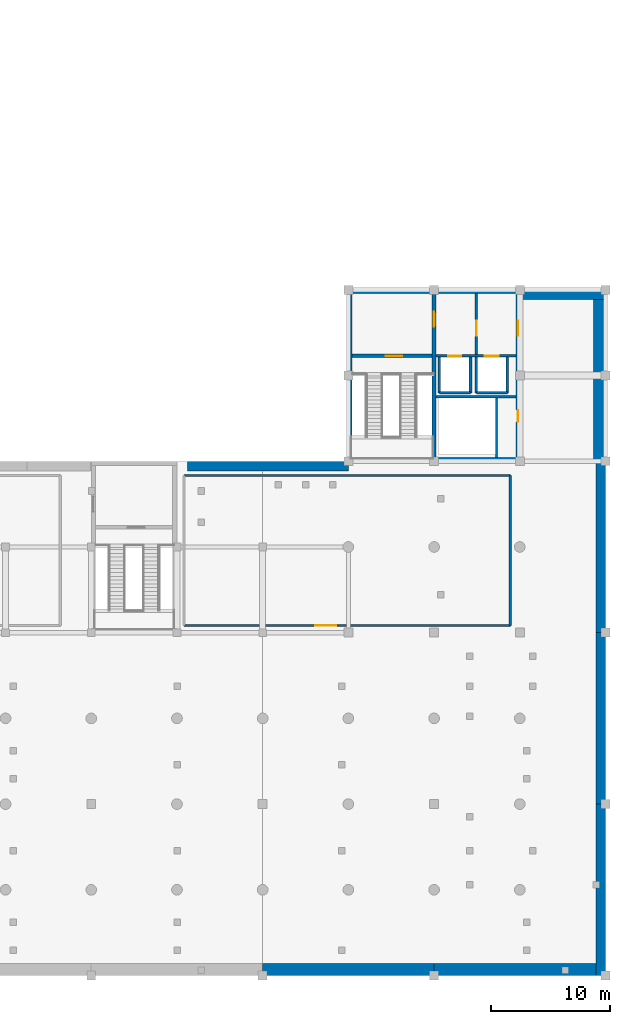
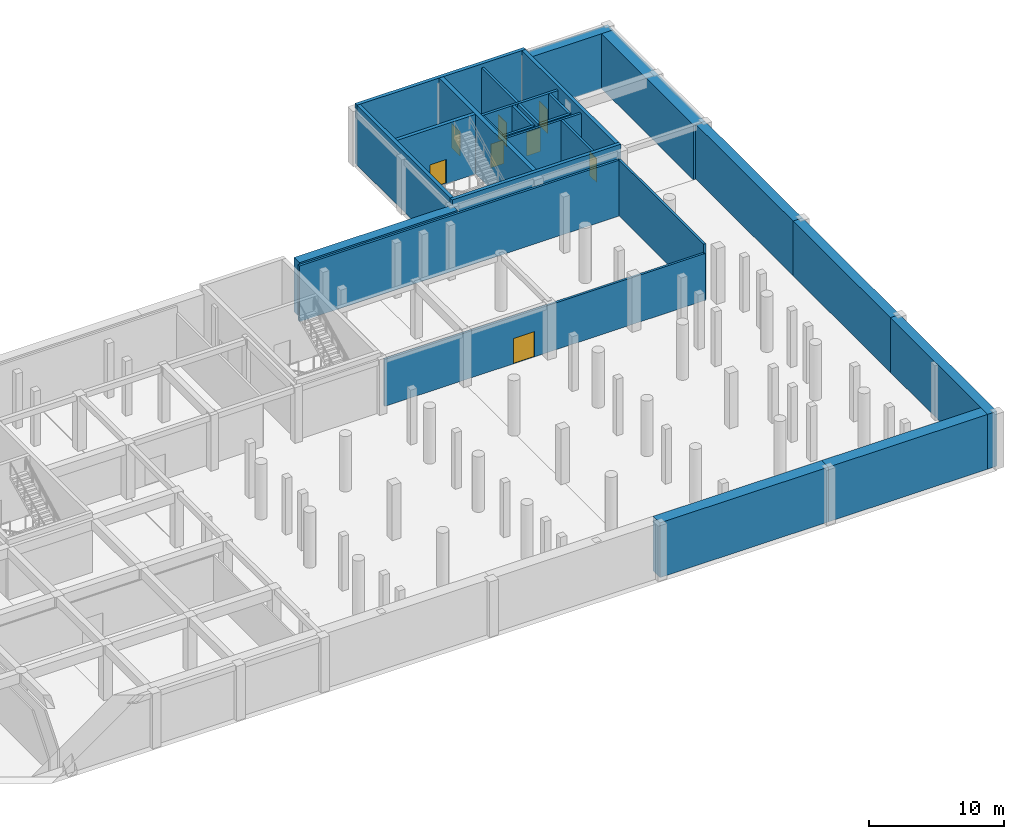
# One storey, part 9 of 15: 27 walls, 8 doors, 8 openings.
"""IFC4 building model written with IfcOpenShell, lengths in metres."""

from ifc_helpers import new_model, si_unit, direction, frame, frame_2d, origin, place, context, subcontext, project, spatial, rectangle, extrude, material, layer, layer_set, type_object, element, fill, save


model = new_model("IFC4")

# Units and contexts
model_context = context("Model", 3, precision=1e-05, world=origin(), true_north=direction((0.0, 1.0)))
body_context = subcontext(model_context, "Body", "Model", "MODEL_VIEW")
ifc_project = project(units=[si_unit("LENGTHUNIT", "METRE"), si_unit("AREAUNIT", "SQUARE_METRE"), si_unit("VOLUMEUNIT", "CUBIC_METRE"), si_unit("PLANEANGLEUNIT", "RADIAN"), si_unit("MASSUNIT", "GRAM", prefix="KILO")], contexts=[model_context])

# Site, building, storey
site_placement = place(None, origin())
site = spatial("IfcSite", under=ifc_project, at=site_placement, CompositionType="ELEMENT")
building_placement = place(site_placement, origin())
building = spatial("IfcBuilding", under=site, at=building_placement, Name="Leyfeld Transit Interchange", CompositionType="ELEMENT")
storey_placement = place(building_placement, frame((0.0, 0.0, -5.39990234375)))
storey = spatial("IfcBuildingStorey", under=building, at=storey_placement, Name="B01", CompositionType="ELEMENT", Elevation=-5.39990234375)

# Walls
ifc_material_1 = material(Name="Concrete C35/45", Category="concrete")
ifc_layer_1 = layer(ifc_material_1, 1.0, Name="Concrete C35/45")
ifc_layer_set_1 = layer_set([ifc_layer_1], Name="Concrete C35/45")
wall_type_1 = type_object("IfcWallType", Name="WL-DW-1000", PredefinedType="USERDEFINED", material=ifc_layer_set_1)
for number, where, z_axis, x_axis, name in (
    (1, (158.39990234375, 14.89990234375, 0.0), (0.0, 0.0, 1.0), (-1.0, 0.0, 0.0), "Metro Diaphragm Wall DW-B01-S01-P01"),
    (2, (144.0, 14.89990234375, 0.0), (0.0, 0.0, 1.0), (-1.0, 0.0, 0.0), "Metro Diaphragm Wall DW-B01-S01-P02"),
    (3, (157.89990234375, 72.0, 0.0), (0.0, 0.0, 1.0), (0.0, -1.0, 0.0), "Metro Diaphragm Wall DW-B01-S09-P01"),
):
    element("IfcWall", number, at=place(storey_placement, frame(where, z_axis=z_axis, x_axis=x_axis)), inside=storey, type_object=wall_type_1, Name=name, ObjectType="RETAININGWALL", PredefinedType="USERDEFINED", context=body_context, shape_type="SweptSolid", body=[
        extrude(rectangle(XDim=14.39990234375, YDim=1.0, at=frame_2d((7.199951171875, 0.0))), origin(), (0.0, 0.0, 1.0), 4.949951171875),
    ])
ifc_layer_2 = layer(ifc_material_1, 0.800048828125, Name="Concrete C35/45")
ifc_layer_set_2 = layer_set([ifc_layer_2], Name="Concrete C35/45")
wall_type_2 = type_object("IfcWallType", Name="WL-DW-800", PredefinedType="USERDEFINED", material=ifc_layer_set_2)
wall_1_placement = place(storey_placement, frame((123.300048828125, 57.199951171875, 0.0), z_axis=(0.0, 0.0, 1.0), x_axis=(1.0, 0.0, 0.0)))
element("IfcWall", 4, at=wall_1_placement, inside=storey, type_object=wall_type_2, Name="Metro Diaphragm Wall DW-B01-S06-P08", ObjectType="RETAININGWALL", PredefinedType="USERDEFINED", context=body_context, shape_type="SweptSolid", body=[
    extrude(rectangle(XDim=13.5, YDim=0.800048828125, at=frame_2d((6.75, 0.0))), origin(), (0.0, 0.0, 1.0), 4.949951171875),
])
wall_2_placement = place(storey_placement, frame((151.25, 71.60009765625, 0.0), z_axis=(0.0, 0.0, 1.0), x_axis=(1.0, 0.0, 0.0)))
element("IfcWall", 5, at=wall_2_placement, inside=storey, type_object=wall_type_2, Name="Metro Diaphragm Wall DW-B01-S08-P01", ObjectType="RETAININGWALL", PredefinedType="USERDEFINED", context=body_context, shape_type="SweptSolid", body=[
    extrude(rectangle(XDim=7.14990234375, YDim=0.800048828125, at=frame_2d((3.574951171875, 0.0))), origin(), (0.0, 0.0, 1.0), 4.949951171875),
])
wall_3_placement = place(storey_placement, frame((158.0, 57.60009765625, 0.0), z_axis=(0.0, 0.0, 1.0), x_axis=(0.0, -1.0, 0.0)))
element("IfcWall", 6, at=wall_3_placement, inside=storey, type_object=wall_type_2, Name="Metro Diaphragm Wall DW-B01-S10-P01", ObjectType="RETAININGWALL", PredefinedType="USERDEFINED", context=body_context, shape_type="SweptSolid", body=[
    extrude(rectangle(XDim=14.400146484375, YDim=0.800048828125, at=frame_2d((7.2001953125, 0.0))), origin(), (0.0, 0.0, 1.0), 4.949951171875),
])
wall_4_placement = place(storey_placement, frame((158.0, 43.199951171875, 0.0), z_axis=(0.0, 0.0, 1.0), x_axis=(0.0, -1.0, 0.0)))
element("IfcWall", 7, at=wall_4_placement, inside=storey, type_object=wall_type_2, Name="Metro Diaphragm Wall DW-B01-S10-P02", ObjectType="RETAININGWALL", PredefinedType="USERDEFINED", context=body_context, shape_type="SweptSolid", body=[
    extrude(rectangle(XDim=14.39990234375, YDim=0.800048828125, at=frame_2d((7.199951171875, 0.0))), origin(), (0.0, 0.0, 1.0), 4.949951171875),
])
wall_5_placement = place(storey_placement, frame((158.0, 28.800048828125, 0.0), z_axis=(0.0, 0.0, 1.0), x_axis=(0.0, -1.0, 0.0)))
element("IfcWall", 8, at=wall_5_placement, inside=storey, type_object=wall_type_2, Name="Metro Diaphragm Wall DW-B01-S10-P03", ObjectType="RETAININGWALL", PredefinedType="USERDEFINED", context=body_context, shape_type="SweptSolid", body=[
    extrude(rectangle(XDim=14.400146484375, YDim=0.800048828125, at=frame_2d((7.2001953125, 0.0))), origin(), (0.0, 0.0, 1.0), 4.949951171875),
])

# Wall, opening, door
ifc_layer_3 = layer(ifc_material_1, 0.199951171875, Name="Concrete C35/45")
ifc_layer_set_3 = layer_set([ifc_layer_3], Name="Concrete C35/45")
wall_type_3 = type_object("IfcWallType", Name="WL-INT-FFL-200", PredefinedType="PARTITIONING", material=ifc_layer_set_3)
wall_6_placement = place(storey_placement, frame((147.550048828125, 66.56005859375, 0.0), z_axis=(0.0, 0.0, 1.0), x_axis=(0.0, 1.0, 0.0)))
wall_6 = element("IfcWall", 9, at=wall_6_placement, inside=storey, type_object=wall_type_3, Name="Core K4 Firefighting Lobby Compartment Wall B01", PredefinedType="PARTITIONING", context=body_context, shape_type="SweptSolid", body=[
    extrude(rectangle(XDim=5.139892578125, YDim=0.199951171875, at=frame_2d((2.56982421875, 0.0))), origin(), (0.0, 0.0, 1.0), 5.0498046875),
])
opening_1_placement = place(wall_6_placement, frame((1.60009765625, 0.0, 0.0)))
opening_1 = element("IfcOpeningElement", 10, at=opening_1_placement, cuts=wall_6, Name="Opening DI-02", PredefinedType="OPENING", context=body_context, shape_type="SweptSolid", body=[
    extrude(rectangle(XDim=1.25, YDim=2.199951171875, at=frame_2d((0.625, 1.10009765625))), frame((0.0, 0.10986328125, 0.0), z_axis=(0.0, -1.0, 0.0), x_axis=(1.0, 0.0, 0.0)), (0.0, 0.0, 1.0), 0.219970703125),
])
ifc_material_2 = material(Name="Galvanised steel S275JR", Category="steel")
door_type_1 = type_object("IfcDoorType", Name="DR-FFL-1250x2200", OperationType="NOTDEFINED", PredefinedType="DOOR", material=ifc_material_2)
door_1_placement = place(opening_1_placement, origin())
door_1 = element("IfcDoor", 11, at=door_1_placement, inside=storey, type_object=door_type_1, Name="DR-FFL-CON-K4-B01", OperationType="SINGLE_SWING_LEFT", OverallHeight=2.199951171875, OverallWidth=1.25, PredefinedType="DOOR", context=body_context, shape_type="SweptSolid", body=[
    extrude(rectangle(XDim=1.25, YDim=2.199951171875, at=frame_2d((0.625, 1.10009765625))), frame((0.0, 0.02490234375, 0.0), z_axis=(0.0, -1.0, 0.0), x_axis=(1.0, 0.0, 0.0)), (0.0, 0.0, 1.0), 0.050048828125),
])
fill(opening_1, door_1)

# Walls
ifc_material_3 = material(Name="Calcium silicate masonry", Category="masonry")
ifc_layer_4 = layer(ifc_material_3, 0.18994140625, Name="Calcium silicate masonry")
ifc_layer_set_4 = layer_set([ifc_layer_4], Name="Calcium silicate masonry")
wall_type_4 = type_object("IfcWallType", Name="WL-INT-PLT-190", PredefinedType="PARTITIONING", material=ifc_layer_set_4)
wall_7_placement = place(storey_placement, frame((144.179931640625, 63.02001953125, 0.0), z_axis=(0.0, 0.0, 1.0), x_axis=(1.0, 0.0, 0.0)))
element("IfcWall", 12, at=wall_7_placement, inside=storey, type_object=wall_type_4, Name="Core K4 Riser Compartment Wall B01", PredefinedType="PARTITIONING", context=body_context, shape_type="SweptSolid", body=[
    extrude(rectangle(XDim=6.719970703125, YDim=0.18994140625, at=frame_2d((3.35986328125, 0.0))), origin(), (0.0, 0.0, 1.0), 5.0498046875),
])
wall_8_placement = place(storey_placement, frame((149.25, 57.89990234375, 0.0), z_axis=(0.0, 0.0, 1.0), x_axis=(0.0, 1.0, 0.0)))
element("IfcWall", 13, at=wall_8_placement, inside=storey, type_object=wall_type_4, Name="Core K4 Riser Shaft East Wall B01", PredefinedType="PARTITIONING", context=body_context, shape_type="SweptSolid", body=[
    extrude(rectangle(XDim=5.030029296875, YDim=0.18994140625, at=frame_2d((2.51513671875, 0.0))), origin(), (0.0, 0.0, 1.0), 5.0498046875),
])
wall_9_placement = place(storey_placement, frame((123.0, 56.39990234375, 0.0), z_axis=(0.0, 0.0, 1.0), x_axis=(1.0, 0.0, 0.0)))
element("IfcWall", 14, at=wall_9_placement, inside=storey, type_object=wall_type_4, Name="Interior Partition B01-ELC-01 N", PredefinedType="PARTITIONING", context=body_context, shape_type="SweptSolid", body=[
    extrude(rectangle(XDim=27.39990234375, YDim=0.18994140625, at=frame_2d((13.699951171875, 0.0))), origin(), (0.0, 0.0, 1.0), 5.0498046875),
])

# Wall, opening, door
wall_10_placement = place(storey_placement, frame((150.39990234375, 43.800048828125, 0.0), z_axis=(0.0, 0.0, 1.0), x_axis=(-1.0, 0.0, 0.0)))
wall_10 = element("IfcWall", 15, at=wall_10_placement, inside=storey, type_object=wall_type_4, Name="Interior Partition B01-ELC-01 S", PredefinedType="PARTITIONING", context=body_context, shape_type="SweptSolid", body=[
    extrude(rectangle(XDim=27.39990234375, YDim=0.18994140625, at=frame_2d((13.699951171875, 0.0))), origin(), (0.0, 0.0, 1.0), 4.239990234375),
])
opening_2_placement = place(wall_10_placement, frame((14.610107421875, 0.0, 0.0)))
opening_2 = element("IfcOpeningElement", 16, at=opening_2_placement, cuts=wall_10, Name="Opening DU-19", PredefinedType="OPENING", context=body_context, shape_type="SweptSolid", body=[
    extrude(rectangle(XDim=1.780029296875, YDim=2.280029296875, at=frame_2d((0.89013671875, 1.14013671875))), frame((0.0, 0.10498046875, 0.0), z_axis=(0.0, -1.0, 0.0), x_axis=(1.0, 0.0, 0.0)), (0.0, 0.0, 1.0), 0.2099609375),
])
ifc_material_4 = material(Name="Austrian larch glulam GL28h", Category="wood")
door_type_2 = type_object("IfcDoorType", Name="DR-UNQ-19", OperationType="NOTDEFINED", PredefinedType="DOOR", material=ifc_material_4)
door_2_placement = place(opening_2_placement, origin())
door_2 = element("IfcDoor", 17, at=door_2_placement, inside=storey, type_object=door_type_2, Name="DR-B01-ELC-01", OperationType="DOUBLE_DOOR_SINGLE_SWING", OverallHeight=2.280029296875, OverallWidth=1.780029296875, PredefinedType="DOOR", context=body_context, shape_type="SweptSolid", body=[
    extrude(rectangle(XDim=1.780029296875, YDim=2.280029296875, at=frame_2d((0.89013671875, 1.14013671875))), frame((0.0, 0.02490234375, 0.0), z_axis=(0.0, -1.0, 0.0), x_axis=(1.0, 0.0, 0.0)), (0.0, 0.0, 1.0), 0.050048828125),
])
fill(opening_2, door_2)

# Wall
wall_11_placement = place(storey_placement, frame((150.39990234375, 56.39990234375, 0.0), z_axis=(0.0, 0.0, 1.0), x_axis=(0.0, -1.0, 0.0)))
element("IfcWall", 18, at=wall_11_placement, inside=storey, type_object=wall_type_4, Name="Interior Partition B01-ELC-01 E", PredefinedType="PARTITIONING", context=body_context, shape_type="SweptSolid", body=[
    extrude(rectangle(XDim=12.599853515625, YDim=0.18994140625, at=frame_2d((6.2998046875, 0.0))), origin(), (0.0, 0.0, 1.0), 5.0498046875),
])

# Wall, openings, doors
ifc_layer_5 = layer(ifc_material_1, 0.219970703125, Name="Concrete C35/45")
ifc_layer_set_5 = layer_set([ifc_layer_5], Name="Concrete C35/45")
wall_type_5 = type_object("IfcWallType", Name="WL-INT-SHF-220", PredefinedType="PARTITIONING", material=ifc_layer_set_5)
wall_12_placement = place(storey_placement, frame((144.179931640625, 66.449951171875, 0.0), z_axis=(0.0, 0.0, 1.0), x_axis=(1.0, 0.0, 0.0)))
wall_12 = element("IfcWall", 19, at=wall_12_placement, inside=storey, type_object=wall_type_5, Name="Core K4 Lift Shaft Front Wall B01", PredefinedType="PARTITIONING", context=body_context, shape_type="SweptSolid", body=[
    extrude(rectangle(XDim=6.719970703125, YDim=0.219970703125, at=frame_2d((3.35986328125, 0.0))), origin(), (0.0, 0.0, 1.0), 5.0498046875),
])
opening_3_placement = place(wall_12_placement, frame((1.02001953125, 0.0, 0.0)))
opening_3 = element("IfcOpeningElement", 20, at=opening_3_placement, cuts=wall_12, Name="Opening LD-01", PredefinedType="OPENING", context=body_context, shape_type="SweptSolid", body=[
    extrude(rectangle(XDim=1.10009765625, YDim=2.14990234375, at=frame_2d((0.550048828125, 1.074951171875))), frame((0.0, 0.119873046875, 0.0), z_axis=(0.0, -1.0, 0.0), x_axis=(1.0, 0.0, 0.0)), (0.0, 0.0, 1.0), 0.239990234375),
])
opening_4_placement = place(wall_12_placement, frame((4.070068359375, 0.0, 0.0)))
opening_4 = element("IfcOpeningElement", 21, at=opening_4_placement, cuts=wall_12, Name="Opening LD-02", PredefinedType="OPENING", context=body_context, shape_type="SweptSolid", body=[
    extrude(rectangle(XDim=1.199951171875, YDim=2.14990234375, at=frame_2d((0.60009765625, 1.074951171875))), frame((0.0, 0.119873046875, 0.0), z_axis=(0.0, -1.0, 0.0), x_axis=(1.0, 0.0, 0.0)), (0.0, 0.0, 1.0), 0.239990234375),
])
ifc_material_5 = material(Name="Stainless steel EN 1.4404", Category="steel")
door_type_3 = type_object("IfcDoorType", Name="DR-LD-FFL-1100x2150", OperationType="NOTDEFINED", PredefinedType="DOOR", material=ifc_material_5)
door_3_placement = place(opening_3_placement, origin())
door_3 = element("IfcDoor", 22, at=door_3_placement, inside=storey, type_object=door_type_3, Name="LD-FFL-2-B01", OperationType="DOUBLE_DOOR_SLIDING", OverallHeight=2.14990234375, OverallWidth=1.10009765625, PredefinedType="DOOR", context=body_context, shape_type="SweptSolid", body=[
    extrude(rectangle(XDim=1.10009765625, YDim=2.14990234375, at=frame_2d((0.550048828125, 1.074951171875))), frame((0.0, 0.02490234375, 0.0), z_axis=(0.0, -1.0, 0.0), x_axis=(1.0, 0.0, 0.0)), (0.0, 0.0, 1.0), 0.050048828125),
])
fill(opening_3, door_3)
door_type_4 = type_object("IfcDoorType", Name="DR-LD-PAS-1200x2150", OperationType="NOTDEFINED", PredefinedType="DOOR", material=ifc_material_5)
door_4_placement = place(opening_4_placement, origin())
door_4 = element("IfcDoor", 23, at=door_4_placement, inside=storey, type_object=door_type_4, Name="LD-PL-4-B01", OperationType="DOUBLE_DOOR_SLIDING", OverallHeight=2.14990234375, OverallWidth=1.199951171875, PredefinedType="DOOR", context=body_context, shape_type="SweptSolid", body=[
    extrude(rectangle(XDim=1.199951171875, YDim=2.14990234375, at=frame_2d((0.60009765625, 1.074951171875))), frame((0.0, 0.02490234375, 0.0), z_axis=(0.0, -1.0, 0.0), x_axis=(1.0, 0.0, 0.0)), (0.0, 0.0, 1.0), 0.050048828125),
])
fill(opening_4, door_4)

# Walls
wall_13_placement = place(storey_placement, frame((144.43994140625, 63.340087890625, 0.0), z_axis=(0.0, 0.0, 1.0), x_axis=(1.0, 0.0, 0.0)))
element("IfcWall", 24, at=wall_13_placement, inside=storey, type_object=wall_type_5, Name="Core K4 Lift FFL-2 Shaft Back Wall B01", PredefinedType="PARTITIONING", context=body_context, shape_type="SweptSolid", body=[
    extrude(rectangle(XDim=2.6201171875, YDim=0.219970703125, at=frame_2d((1.31005859375, 0.0))), origin(), (0.0, 0.0, 1.0), 5.0498046875),
])
for number, where, z_axis, x_axis, name in (
    (25, (144.43994140625, 63.340087890625, 0.0), (0.0, 0.0, 1.0), (0.0, 1.0, 0.0), "Core K4 Lift FFL-2 Shaft Wall W B01"),
    (26, (147.06005859375, 63.340087890625, 0.0), (0.0, 0.0, 1.0), (0.0, 1.0, 0.0), "Core K4 Lift FFL-2 Shaft Wall E B01"),
):
    element("IfcWall", number, at=place(storey_placement, frame(where, z_axis=z_axis, x_axis=x_axis)), inside=storey, type_object=wall_type_5, Name=name, PredefinedType="PARTITIONING", context=body_context, shape_type="SweptSolid", body=[
        extrude(rectangle(XDim=3.0, YDim=0.219970703125, at=frame_2d((1.5, 0.0))), origin(), (0.0, 0.0, 1.0), 5.0498046875),
    ])
wall_14_placement = place(storey_placement, frame((147.5400390625, 63.340087890625, 0.0), z_axis=(0.0, 0.0, 1.0), x_axis=(1.0, 0.0, 0.0)))
element("IfcWall", 27, at=wall_14_placement, inside=storey, type_object=wall_type_5, Name="Core K4 Lift PL-4 Shaft Back Wall B01", PredefinedType="PARTITIONING", context=body_context, shape_type="SweptSolid", body=[
    extrude(rectangle(XDim=2.619873046875, YDim=0.219970703125, at=frame_2d((1.31005859375, 0.0))), origin(), (0.0, 0.0, 1.0), 5.0498046875),
])
for number, where, z_axis, x_axis, name in (
    (28, (147.5400390625, 63.340087890625, 0.0), (0.0, 0.0, 1.0), (0.0, 1.0, 0.0), "Core K4 Lift PL-4 Shaft Wall W B01"),
    (29, (150.159912109375, 63.340087890625, 0.0), (0.0, 0.0, 1.0), (0.0, 1.0, 0.0), "Core K4 Lift PL-4 Shaft Wall E B01"),
):
    element("IfcWall", number, at=place(storey_placement, frame(where, z_axis=z_axis, x_axis=x_axis)), inside=storey, type_object=wall_type_5, Name=name, PredefinedType="PARTITIONING", context=body_context, shape_type="SweptSolid", body=[
        extrude(rectangle(XDim=3.0, YDim=0.219970703125, at=frame_2d((1.5, 0.0))), origin(), (0.0, 0.0, 1.0), 5.0498046875),
    ])
ifc_layer_6 = layer(ifc_material_1, 0.300048828125, Name="Concrete C35/45")
ifc_layer_set_6 = layer_set([ifc_layer_6], Name="Concrete C35/45")
wall_type_6 = type_object("IfcWallType", Name="WL-SH-300", PredefinedType="SHEAR", material=ifc_layer_set_6)
wall_15_placement = place(storey_placement, frame((136.800048828125, 71.85009765625, 0.0), z_axis=(0.0, 0.0, 1.0), x_axis=(1.0, 0.0, 0.0)))
element("IfcWall", 30, at=wall_15_placement, inside=storey, type_object=wall_type_6, Name="Core K4 Shear Wall N B01", PredefinedType="SHEAR", context=body_context, shape_type="SweptSolid", body=[
    extrude(rectangle(XDim=14.39990234375, YDim=0.300048828125, at=frame_2d((7.199951171875, 0.0))), origin(), (0.0, 0.0, 1.0), 5.39990234375),
])

# Wall, openings, doors
wall_16_placement = place(storey_placement, frame((151.050048828125, 71.699951171875, 0.0), z_axis=(0.0, 0.0, 1.0), x_axis=(0.0, -1.0, 0.0)))
wall_16 = element("IfcWall", 31, at=wall_16_placement, inside=storey, type_object=wall_type_6, Name="Core K4 Shear Wall E B01", PredefinedType="SHEAR", context=body_context, shape_type="SweptSolid", body=[
    extrude(rectangle(XDim=13.800048828125, YDim=0.300048828125, at=frame_2d((6.89990234375, 0.0))), origin(), (0.0, 0.0, 1.0), 5.39990234375),
])
opening_5_placement = place(wall_16_placement, frame((9.800048828125, 0.0, 0.0)))
opening_5 = element("IfcOpeningElement", 32, at=opening_5_placement, cuts=wall_16, Name="Opening DI-05", PredefinedType="OPENING", context=body_context, shape_type="SweptSolid", body=[
    extrude(rectangle(XDim=1.0, YDim=2.14990234375, at=frame_2d((0.5, 1.074951171875))), frame((0.0, 0.159912109375, 0.0), z_axis=(0.0, -1.0, 0.0), x_axis=(1.0, 0.0, 0.0)), (0.0, 0.0, 1.0), 0.320068359375),
])
opening_6_placement = place(wall_16_placement, frame((2.300048828125, 0.0, 0.0)))
opening_6 = element("IfcOpeningElement", 33, at=opening_6_placement, cuts=wall_16, Name="Opening DI-02", PredefinedType="OPENING", context=body_context, shape_type="SweptSolid", body=[
    extrude(rectangle(XDim=1.25, YDim=2.199951171875, at=frame_2d((0.625, 1.10009765625))), frame((0.0, 0.159912109375, 0.0), z_axis=(0.0, -1.0, 0.0), x_axis=(1.0, 0.0, 0.0)), (0.0, 0.0, 1.0), 0.320068359375),
])
door_5_placement = place(opening_6_placement, origin())
door_5 = element("IfcDoor", 34, at=door_5_placement, inside=storey, type_object=door_type_1, Name="DR-CORE-OUT-K4-B01", OperationType="SINGLE_SWING_RIGHT", OverallHeight=2.199951171875, OverallWidth=1.25, PredefinedType="DOOR", context=body_context, shape_type="SweptSolid", body=[
    extrude(rectangle(XDim=1.25, YDim=2.199951171875, at=frame_2d((0.625, 1.10009765625))), frame((0.0, 0.02490234375, 0.0), z_axis=(0.0, -1.0, 0.0), x_axis=(1.0, 0.0, 0.0)), (0.0, 0.0, 1.0), 0.050048828125),
])
fill(opening_6, door_5)
door_type_5 = type_object("IfcDoorType", Name="DR-OFF-1000x2150", OperationType="NOTDEFINED", PredefinedType="DOOR", material=ifc_material_4)
door_6_placement = place(opening_5_placement, origin())
door_6 = element("IfcDoor", 35, at=door_6_placement, inside=storey, type_object=door_type_5, Name="DR-RSR-K4-B01", OperationType="SINGLE_SWING_RIGHT", OverallHeight=2.14990234375, OverallWidth=1.0, PredefinedType="DOOR", context=body_context, shape_type="SweptSolid", body=[
    extrude(rectangle(XDim=1.0, YDim=2.14990234375, at=frame_2d((0.5, 1.074951171875))), frame((0.0, 0.02490234375, 0.0), z_axis=(0.0, -1.0, 0.0), x_axis=(1.0, 0.0, 0.0)), (0.0, 0.0, 1.0), 0.050048828125),
])
fill(opening_5, door_6)

# Walls
wall_17_placement = place(storey_placement, frame((151.199951171875, 57.75, 0.0), z_axis=(0.0, 0.0, 1.0), x_axis=(-1.0, 0.0, 0.0)))
element("IfcWall", 36, at=wall_17_placement, inside=storey, type_object=wall_type_6, Name="Core K4 Shear Wall S B01", PredefinedType="SHEAR", context=body_context, shape_type="SweptSolid", body=[
    extrude(rectangle(XDim=14.39990234375, YDim=0.300048828125, at=frame_2d((7.199951171875, 0.0))), origin(), (0.0, 0.0, 1.0), 5.39990234375),
])
wall_18_placement = place(storey_placement, frame((136.949951171875, 57.89990234375, 0.0), z_axis=(0.0, 0.0, 1.0), x_axis=(0.0, 1.0, 0.0)))
element("IfcWall", 37, at=wall_18_placement, inside=storey, type_object=wall_type_6, Name="Core K4 Shear Wall W B01", PredefinedType="SHEAR", context=body_context, shape_type="SweptSolid", body=[
    extrude(rectangle(XDim=13.800048828125, YDim=0.300048828125, at=frame_2d((6.89990234375, 0.0))), origin(), (0.0, 0.0, 1.0), 5.39990234375),
])

# Wall, opening, door
wall_19_placement = place(storey_placement, frame((137.10009765625, 66.449951171875, 0.0), z_axis=(0.0, 0.0, 1.0), x_axis=(1.0, 0.0, 0.0)))
wall_19 = element("IfcWall", 38, at=wall_19_placement, inside=storey, type_object=wall_type_6, Name="Core K4 Shear Wall STRN B01", PredefinedType="SHEAR", context=body_context, shape_type="SweptSolid", body=[
    extrude(rectangle(XDim=6.724853515625, YDim=0.300048828125, at=frame_2d((3.3623046875, 0.0))), origin(), (0.0, 0.0, 1.0), 5.39990234375),
])
opening_7_placement = place(wall_19_placement, frame((2.824951171875, 0.0, 0.0)))
opening_7 = element("IfcOpeningElement", 39, at=opening_7_placement, cuts=wall_19, Name="Opening DI-01", PredefinedType="OPENING", context=body_context, shape_type="SweptSolid", body=[
    extrude(rectangle(XDim=1.39990234375, YDim=2.199951171875, at=frame_2d((0.699951171875, 1.10009765625))), frame((0.0, 0.159912109375, 0.0), z_axis=(0.0, -1.0, 0.0), x_axis=(1.0, 0.0, 0.0)), (0.0, 0.0, 1.0), 0.320068359375),
])
door_type_6 = type_object("IfcDoorType", Name="DR-STR-1400x2200", OperationType="NOTDEFINED", PredefinedType="DOOR", material=ifc_material_2)
door_7_placement = place(opening_7_placement, origin())
door_7 = element("IfcDoor", 40, at=door_7_placement, inside=storey, type_object=door_type_6, Name="DR-STR-INT-K4-B01", OperationType="SINGLE_SWING_RIGHT", OverallHeight=2.199951171875, OverallWidth=1.39990234375, PredefinedType="DOOR", context=body_context, shape_type="SweptSolid", body=[
    extrude(rectangle(XDim=1.39990234375, YDim=2.199951171875, at=frame_2d((0.699951171875, 1.10009765625))), frame((0.0, 0.02490234375, 0.0), z_axis=(0.0, -1.0, 0.0), x_axis=(1.0, 0.0, 0.0)), (0.0, 0.0, 1.0), 0.050048828125),
])
fill(opening_7, door_7)

ifc_layer_7 = layer(ifc_material_1, 0.35009765625, Name="Concrete C35/45")
ifc_layer_set_7 = layer_set([ifc_layer_7], Name="Concrete C35/45")
wall_type_7 = type_object("IfcWallType", Name="WL-SH-350", PredefinedType="SHEAR", material=ifc_layer_set_7)
wall_20_placement = place(storey_placement, frame((144.0, 71.699951171875, 0.0), z_axis=(0.0, 0.0, 1.0), x_axis=(0.0, -1.0, 0.0)))
wall_20 = element("IfcWall", 41, at=wall_20_placement, inside=storey, type_object=wall_type_7, Name="Core K4 Shear Wall MID B01", PredefinedType="SHEAR", context=body_context, shape_type="SweptSolid", body=[
    extrude(rectangle(XDim=13.800048828125, YDim=0.35009765625, at=frame_2d((6.89990234375, 0.0))), origin(), (0.0, 0.0, 1.0), 5.39990234375),
])
opening_8_placement = place(wall_20_placement, frame((1.550048828125, 0.0, 0.0)))
opening_8 = element("IfcOpeningElement", 42, at=opening_8_placement, cuts=wall_20, Name="Opening DI-02", PredefinedType="OPENING", context=body_context, shape_type="SweptSolid", body=[
    extrude(rectangle(XDim=1.25, YDim=2.199951171875, at=frame_2d((0.625, 1.10009765625))), frame((0.0, 0.18505859375, 0.0), z_axis=(0.0, -1.0, 0.0), x_axis=(1.0, 0.0, 0.0)), (0.0, 0.0, 1.0), 0.3701171875),
])
door_8_placement = place(opening_8_placement, origin())
door_8 = element("IfcDoor", 43, at=door_8_placement, inside=storey, type_object=door_type_1, Name="DR-CORE-MID-K4-B01", OperationType="SINGLE_SWING_LEFT", OverallHeight=2.199951171875, OverallWidth=1.25, PredefinedType="DOOR", context=body_context, shape_type="SweptSolid", body=[
    extrude(rectangle(XDim=1.25, YDim=2.199951171875, at=frame_2d((0.625, 1.10009765625))), frame((0.0, 0.02490234375, 0.0), z_axis=(0.0, -1.0, 0.0), x_axis=(1.0, 0.0, 0.0)), (0.0, 0.0, 1.0), 0.050048828125),
])
fill(opening_8, door_8)

save(model, "model.ifc")
